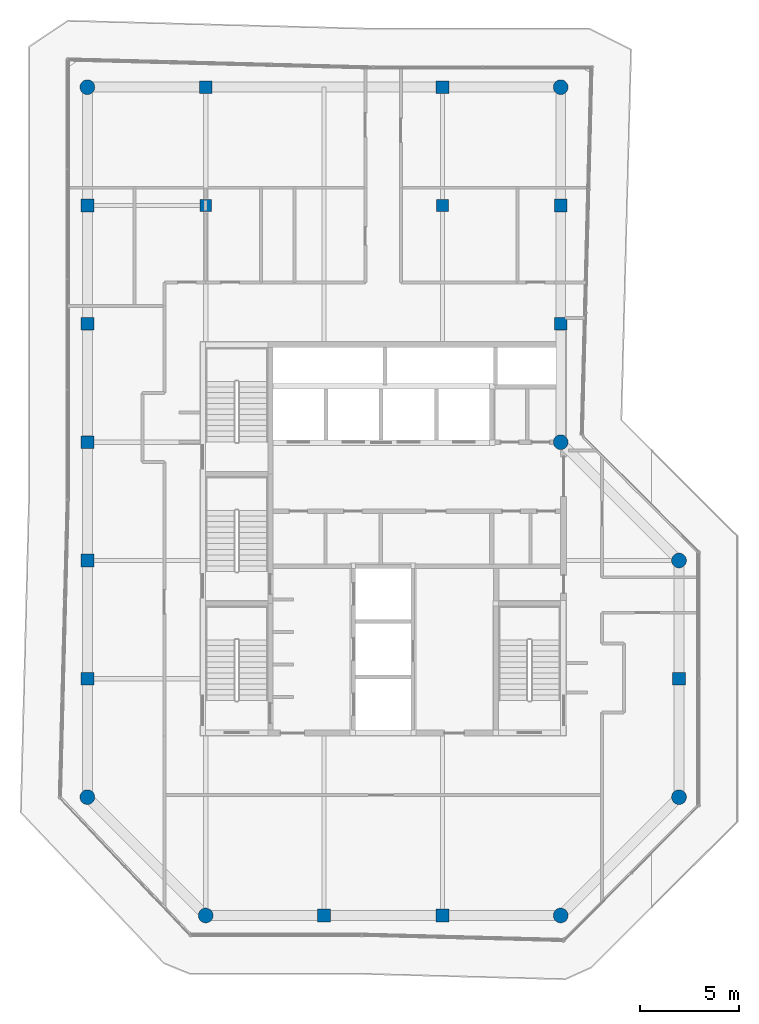
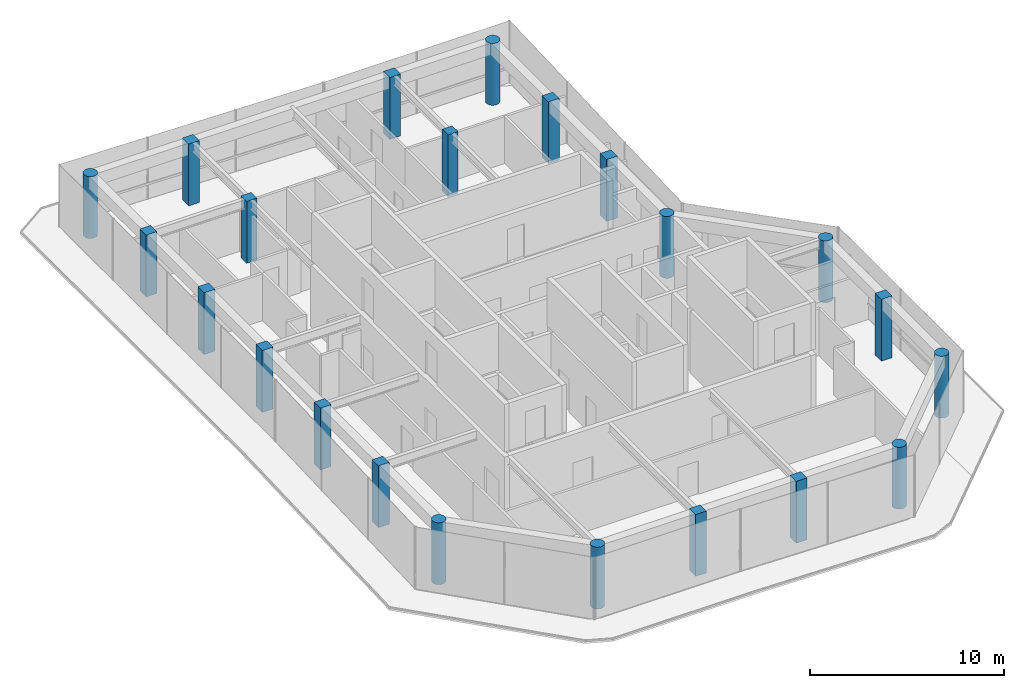
# One storey, part 1 of 15: 22 columns.
"""IFC4 building model written with IfcOpenShell, lengths in metres."""

from ifc_helpers import new_model, si_unit, direction, frame, origin, origin_2d, place, context, subcontext, project, spatial, rectangle, circle, extrude, material, material_profile, profile_set, type_object, element, save


model = new_model("IFC4")

# Units and contexts
model_context = context("Model", 3, precision=1e-05, world=origin(), true_north=direction((0.0, 1.0)))
body_context = subcontext(model_context, "Body", "Model", "MODEL_VIEW")
ifc_project = project(units=[si_unit("LENGTHUNIT", "METRE"), si_unit("AREAUNIT", "SQUARE_METRE"), si_unit("VOLUMEUNIT", "CUBIC_METRE"), si_unit("PLANEANGLEUNIT", "RADIAN"), si_unit("MASSUNIT", "GRAM", prefix="KILO")], contexts=[model_context])

# Site, building, storey
site_placement = place(None, origin())
site = spatial("IfcSite", under=ifc_project, at=site_placement, CompositionType="ELEMENT")
building_placement = place(site_placement, origin())
building = spatial("IfcBuilding", under=site, at=building_placement, Name="Welwitschia Terrace Campus", CompositionType="ELEMENT")
storey_placement = place(building_placement, frame((0.0, 0.0, 339.800048828125)))
storey = spatial("IfcBuildingStorey", under=building, at=storey_placement, Name="L76", CompositionType="ELEMENT", Elevation=339.800048828125)

# Columns
ifc_material_1 = material(Name="Concrete C40/50", Category="concrete")
ifc_material_profile_1 = material_profile(ifc_material_1, circle(Radius=0.375, at=origin_2d()))
ifc_profile_set_1 = profile_set([ifc_material_profile_1], Name="Concrete C40/50")
column_type_1 = type_object("IfcColumnType", Name="Corner column 750 dia", PredefinedType="COLUMN", material=ifc_profile_set_1)
for number, where, z_axis, x_axis, name in (
    (1, (0.0, 2.0, 0.0), (0.0, 0.0, 1.0), (1.0, 0.0, 0.0), "Column C44"),
    (2, (0.0, 38.0, 0.0), (0.0, 0.0, 1.0), (1.0, 0.0, 0.0), "Column C44"),
    (3, (6.0, -4.0, 0.0), (0.0, 0.0, 1.0), (1.0, 0.0, 0.0), "Column C44"),
    (4, (24.0, -4.0, 0.0), (0.0, 0.0, 1.0), (1.0, 0.0, 0.0), "Column C44"),
    (5, (24.0, 20.0, 0.0), (0.0, 0.0, 1.0), (1.0, 0.0, 0.0), "Column C44"),
    (6, (24.0, 38.0, 0.0), (0.0, 0.0, 1.0), (1.0, 0.0, 0.0), "Column C44"),
    (7, (30.0, 2.0, 0.0), (0.0, 0.0, 1.0), (1.0, 0.0, 0.0), "Column C44"),
    (8, (30.0, 14.0, 0.0), (0.0, 0.0, 1.0), (1.0, 0.0, 0.0), "Column C44"),
):
    element("IfcColumn", number, at=place(storey_placement, frame(where, z_axis=z_axis, x_axis=x_axis)), inside=storey, type_object=column_type_1, Name=name, PredefinedType="COLUMN", context=body_context, shape_type="SweptSolid", body=[
        extrude(circle(Radius=0.375, at=origin_2d()), origin(), (0.0, 0.0, 1.0), 3.89990234375),
    ])
ifc_material_2 = material(Name="Concrete C40/50", Category="concrete")
ifc_material_profile_2 = material_profile(ifc_material_2, rectangle(XDim=0.60009765625, YDim=0.60009765625, at=origin_2d()))
ifc_profile_set_2 = profile_set([ifc_material_profile_2], Name="Concrete C40/50")
column_type_2 = type_object("IfcColumnType", Name="Interior column 600x600", PredefinedType="COLUMN", material=ifc_profile_set_2)
for number, where, z_axis, x_axis, name in (
    (9, (6.0, 32.0, 0.0), (0.0, 0.0, 1.0), (1.0, 0.0, 0.0), "Column C46"),
    (10, (18.0, 32.0, 0.0), (0.0, 0.0, 1.0), (1.0, 0.0, 0.0), "Column C46"),
):
    element("IfcColumn", number, at=place(storey_placement, frame(where, z_axis=z_axis, x_axis=x_axis)), inside=storey, type_object=column_type_2, Name=name, PredefinedType="COLUMN", context=body_context, shape_type="SweptSolid", body=[
        extrude(rectangle(XDim=0.60009765625, YDim=0.60009765625, at=origin_2d()), origin(), (0.0, 0.0, 1.0), 3.89990234375),
    ])
ifc_material_3 = material(Name="Concrete C40/50", Category="concrete")
ifc_material_profile_3 = material_profile(ifc_material_3, rectangle(XDim=0.64990234375, YDim=0.64990234375, at=origin_2d()))
ifc_profile_set_3 = profile_set([ifc_material_profile_3], Name="Concrete C40/50")
column_type_3 = type_object("IfcColumnType", Name="Ring column 650x650", PredefinedType="COLUMN", material=ifc_profile_set_3)
for number, where, z_axis, x_axis, name in (
    (11, (0.0, 8.0, 0.0), (0.0, 0.0, 1.0), (1.0, 0.0, 0.0), "Column C45"),
    (12, (0.0, 14.0, 0.0), (0.0, 0.0, 1.0), (1.0, 0.0, 0.0), "Column C45"),
    (13, (0.0, 20.0, 0.0), (0.0, 0.0, 1.0), (1.0, 0.0, 0.0), "Column C45"),
    (14, (0.0, 26.0, 0.0), (0.0, 0.0, 1.0), (1.0, 0.0, 0.0), "Column C45"),
    (15, (0.0, 32.0, 0.0), (0.0, 0.0, 1.0), (1.0, 0.0, 0.0), "Column C45"),
    (16, (6.0, 38.0, 0.0), (0.0, 0.0, 1.0), (1.0, 0.0, 0.0), "Column C45"),
    (17, (12.0, -4.0, 0.0), (0.0, 0.0, 1.0), (1.0, 0.0, 0.0), "Column C45"),
    (18, (18.0, -4.0, 0.0), (0.0, 0.0, 1.0), (1.0, 0.0, 0.0), "Column C45"),
    (19, (18.0, 38.0, 0.0), (0.0, 0.0, 1.0), (1.0, 0.0, 0.0), "Column C45"),
    (20, (24.0, 26.0, 0.0), (0.0, 0.0, 1.0), (1.0, 0.0, 0.0), "Column C45"),
    (21, (24.0, 32.0, 0.0), (0.0, 0.0, 1.0), (1.0, 0.0, 0.0), "Column C45"),
    (22, (30.0, 8.0, 0.0), (0.0, 0.0, 1.0), (1.0, 0.0, 0.0), "Column C45"),
):
    element("IfcColumn", number, at=place(storey_placement, frame(where, z_axis=z_axis, x_axis=x_axis)), inside=storey, type_object=column_type_3, Name=name, PredefinedType="COLUMN", context=body_context, shape_type="SweptSolid", body=[
        extrude(rectangle(XDim=0.64990234375, YDim=0.64990234375, at=origin_2d()), origin(), (0.0, 0.0, 1.0), 3.89990234375),
    ])

save(model, "model.ifc")
